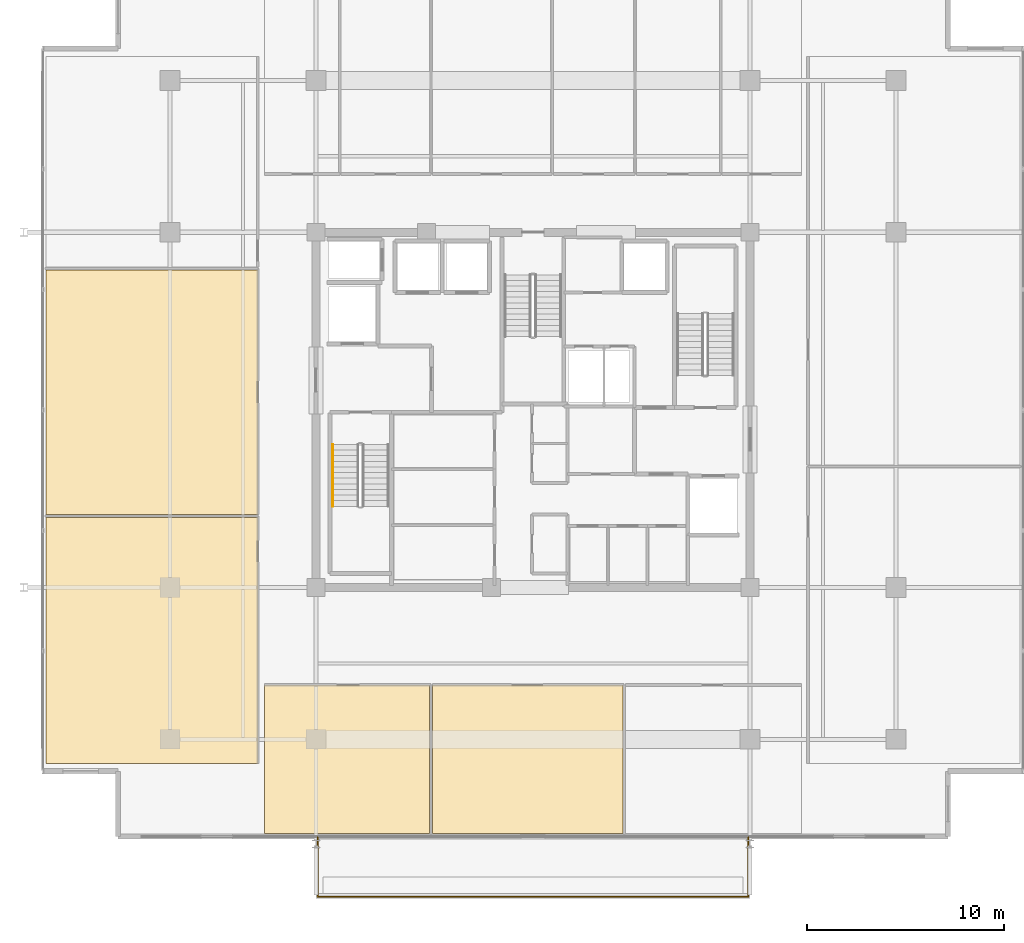
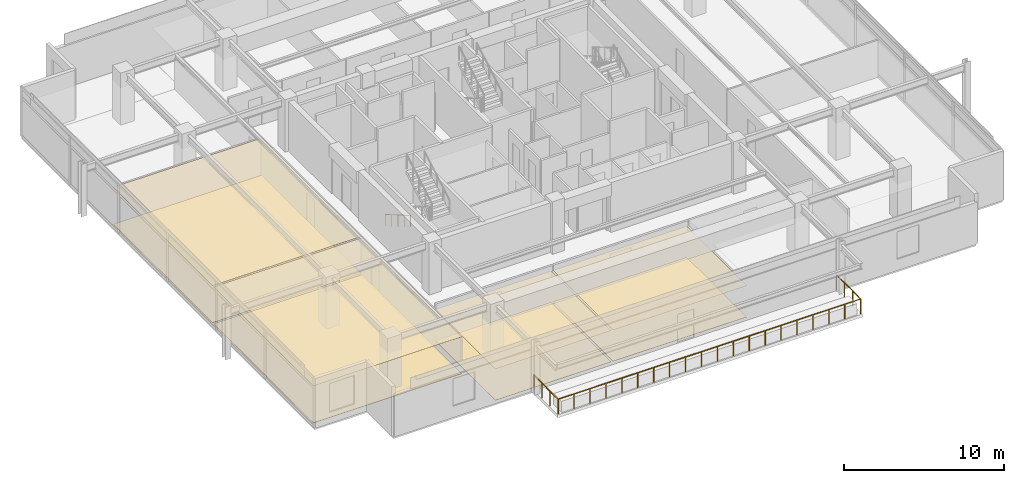
# One storey, part 17 of 20: 8 coverings, 2 railings.
"""IFC4 building model written with IfcOpenShell, lengths in metres."""

from ifc_helpers import new_model, si_unit, direction, frame, origin, origin_2d, place, context, subcontext, project, spatial, polyline, circle, outline, extrude, material, layer, layer_set, type_object, element, save


model = new_model("IFC4")

# Units and contexts
model_context = context("Model", 3, precision=1e-05, world=origin(), true_north=direction((0.0, 1.0)))
body_context = subcontext(model_context, "Body", "Model", "MODEL_VIEW")
ifc_project = project(units=[si_unit("LENGTHUNIT", "METRE"), si_unit("AREAUNIT", "SQUARE_METRE"), si_unit("VOLUMEUNIT", "CUBIC_METRE"), si_unit("PLANEANGLEUNIT", "RADIAN"), si_unit("MASSUNIT", "GRAM", prefix="KILO")], contexts=[model_context])

# Site, building, storey
site_placement = place(None, origin())
site = spatial("IfcSite", under=ifc_project, at=site_placement, CompositionType="ELEMENT")
building_placement = place(site_placement, origin())
building = spatial("IfcBuilding", under=site, at=building_placement, Name="Kovane Verandah Tower", CompositionType="ELEMENT")
storey_placement = place(building_placement, frame((0.0, 0.0, 318.800048828125)))
storey = spatial("IfcBuildingStorey", under=building, at=storey_placement, Name="L74", CompositionType="ELEMENT", Elevation=318.800048828125)

# Coverings
ifc_material_1 = material(Name="Perforated Acoustic Mineral-Fibre Ceiling Tile", Category="gypsum")
ifc_layer_1 = layer(ifc_material_1, 0.02490234375)
ifc_layer_set_1 = layer_set([ifc_layer_1], Name="Perforated Acoustic Mineral-Fibre Ceiling Tile")
covering_type_1 = type_object("IfcCoveringType", Name="CV-CEIL-25", PredefinedType="CEILING", material=ifc_layer_set_1)
covering_1_placement = place(storey_placement, frame((0.0, 0.0, 2.389892578125)))
element("IfcCovering", 1, at=covering_1_placement, inside=storey, type_object=covering_type_1, Name="L74 Executive Office S1 Acoustic Ceiling", PredefinedType="CEILING", context=body_context, shape_type="SweptSolid", body=[
    extrude(outline(polyline([(26.39990234375, 6.0341796875), (34.761962890625, 6.0341796875), (34.761962890625, 13.550048828125), (26.39990234375, 13.550048828125), (26.39990234375, 6.0341796875)])), origin(), (0.0, 0.0, 1.0), 0.025146484375),
])
covering_2_placement = place(storey_placement, frame((0.0, 0.0, 2.389892578125)))
element("IfcCovering", 2, at=covering_2_placement, inside=storey, type_object=covering_type_1, Name="L74 Client Boardroom S2 Acoustic Ceiling", PredefinedType="CEILING", context=body_context, shape_type="SweptSolid", body=[
    extrude(outline(polyline([(34.902099609375, 6.0341796875), (44.553955078125, 6.0341796875), (44.553955078125, 13.550048828125), (34.902099609375, 13.550048828125), (34.902099609375, 6.0341796875)])), origin(), (0.0, 0.0, 1.0), 0.025146484375),
])
covering_3_placement = place(storey_placement, frame((0.0, 0.0, 2.824951171875)))
element("IfcCovering", 3, at=covering_3_placement, inside=storey, type_object=covering_type_1, Name="L74 Focus Studio W1 Acoustic Ceiling", PredefinedType="CEILING", context=body_context, shape_type="SweptSolid", body=[
    extrude(outline(polyline([(15.318603515625, 9.584228515625), (26.050048828125, 9.584228515625), (26.050048828125, 22.055419921875), (15.318603515625, 22.055419921875), (15.318603515625, 9.584228515625)])), origin(), (0.0, 0.0, 1.0), 0.02490234375),
])
covering_4_placement = place(storey_placement, frame((0.0, 0.0, 2.824951171875)))
element("IfcCovering", 4, at=covering_4_placement, inside=storey, type_object=covering_type_1, Name="L74 Breakout Pantry W2 Acoustic Ceiling", PredefinedType="CEILING", context=body_context, shape_type="SweptSolid", body=[
    extrude(outline(polyline([(15.318603515625, 22.1953125), (26.050048828125, 22.1953125), (26.050048828125, 34.59619140625), (15.318603515625, 34.59619140625), (15.318603515625, 22.1953125)])), origin(), (0.0, 0.0, 1.0), 0.02490234375),
])
ifc_material_2 = material(Name="Polished Terrazzo and Raised-Access Carpet Tile Finish", Category="concrete")
ifc_layer_2 = layer(ifc_material_2, 0.030029296875)
ifc_layer_set_2 = layer_set([ifc_layer_2], Name="Polished Terrazzo and Raised-Access Carpet Tile Finish")
covering_type_2 = type_object("IfcCoveringType", Name="CV-FLOR-30", PredefinedType="FLOORING", material=ifc_layer_set_2)
covering_5_placement = place(storey_placement, origin())
element("IfcCovering", 5, at=covering_5_placement, inside=storey, type_object=covering_type_2, Name="L74 Executive Office S1 Floor Finish", PredefinedType="FLOORING", context=body_context, shape_type="SweptSolid", body=[
    extrude(outline(polyline([(26.39990234375, 6.0341796875), (34.761962890625, 6.0341796875), (34.761962890625, 13.550048828125), (26.39990234375, 13.550048828125), (26.39990234375, 6.0341796875)])), origin(), (0.0, 0.0, 1.0), 0.030029296875),
])
covering_6_placement = place(storey_placement, origin())
element("IfcCovering", 6, at=covering_6_placement, inside=storey, type_object=covering_type_2, Name="L74 Client Boardroom S2 Floor Finish", PredefinedType="FLOORING", context=body_context, shape_type="SweptSolid", body=[
    extrude(outline(polyline([(34.902099609375, 6.0341796875), (44.553955078125, 6.0341796875), (44.553955078125, 13.550048828125), (34.902099609375, 13.550048828125), (34.902099609375, 6.0341796875)])), origin(), (0.0, 0.0, 1.0), 0.030029296875),
])
covering_7_placement = place(storey_placement, origin())
element("IfcCovering", 7, at=covering_7_placement, inside=storey, type_object=covering_type_2, Name="L74 Focus Studio W1 Floor Finish", PredefinedType="FLOORING", context=body_context, shape_type="SweptSolid", body=[
    extrude(outline(polyline([(15.318603515625, 9.584228515625), (26.050048828125, 9.584228515625), (26.050048828125, 22.055419921875), (15.318603515625, 22.055419921875), (15.318603515625, 9.584228515625)])), origin(), (0.0, 0.0, 1.0), 0.030029296875),
])
covering_8_placement = place(storey_placement, origin())
element("IfcCovering", 8, at=covering_8_placement, inside=storey, type_object=covering_type_2, Name="L74 Breakout Pantry W2 Floor Finish", PredefinedType="FLOORING", context=body_context, shape_type="SweptSolid", body=[
    extrude(outline(polyline([(15.318603515625, 22.1953125), (26.050048828125, 22.1953125), (26.050048828125, 34.59619140625), (15.318603515625, 34.59619140625), (15.318603515625, 22.1953125)])), origin(), (0.0, 0.0, 1.0), 0.030029296875),
])

# Railings
ifc_material_3 = material(Name="Laminated Glass and Pale-Champagne Stainless Balustrade", Category="glass")
railing_type_1 = type_object("IfcRailingType", Name="RL-BAL-1150", PredefinedType="BALUSTRADE", material=ifc_material_3)
railing_1_placement = place(storey_placement, frame((29.080078125, 5.834228515625, 0.0)))
element("IfcRailing", 9, at=railing_1_placement, inside=storey, type_object=railing_type_1, Name="L74 S Verandah Glass Balustrade", PredefinedType="BALUSTRADE", context=body_context, shape_type="SweptSolid", body=[
    extrude(circle(Radius=0.02392578125, at=origin_2d()), frame((0.0, 0.0, 1.1259765625), z_axis=(0.0, -1.0, 0.0), x_axis=(1.0, 0.0, 0.0)), (0.0, 0.0, 1.0), 3.02001953125),
    extrude(circle(Radius=0.02392578125, at=origin_2d()), frame((0.0, -3.02001953125, 1.1259765625), z_axis=(1.0, 0.0, 0.0), x_axis=(0.0, 1.0, 0.0)), (0.0, 0.0, 1.0), 21.83984375),
    extrude(circle(Radius=0.02392578125, at=origin_2d()), frame((21.83984375, -3.02001953125, 1.1259765625), z_axis=(0.0, 1.0, 0.0), x_axis=(-1.0, 0.0, 0.0)), (0.0, 0.0, 1.0), 3.02001953125),
    extrude(circle(Radius=0.02099609375, at=origin_2d()), origin(), (0.0, 0.0, 1.0), 1.101806640625),
    extrude(circle(Radius=0.02099609375, at=origin_2d()), frame((0.0, -1.006591796875, 0.0)), (0.0, 0.0, 1.0), 1.101806640625),
    extrude(circle(Radius=0.02099609375, at=origin_2d()), frame((0.0, -2.013427734375, 0.0)), (0.0, 0.0, 1.0), 1.101806640625),
    extrude(circle(Radius=0.02099609375, at=origin_2d()), frame((0.0, -3.02001953125, 0.0)), (0.0, 0.0, 1.0), 1.101806640625),
    extrude(circle(Radius=0.02099609375, at=origin_2d()), frame((1.1494140625, -3.02001953125, 0.0)), (0.0, 0.0, 1.0), 1.101806640625),
    extrude(circle(Radius=0.02099609375, at=origin_2d()), frame((2.298828125, -3.02001953125, 0.0)), (0.0, 0.0, 1.0), 1.101806640625),
    extrude(circle(Radius=0.02099609375, at=origin_2d()), frame((3.448486328125, -3.02001953125, 0.0)), (0.0, 0.0, 1.0), 1.101806640625),
    extrude(circle(Radius=0.02099609375, at=origin_2d()), frame((4.597900390625, -3.02001953125, 0.0)), (0.0, 0.0, 1.0), 1.101806640625),
    extrude(circle(Radius=0.02099609375, at=origin_2d()), frame((5.747314453125, -3.02001953125, 0.0)), (0.0, 0.0, 1.0), 1.101806640625),
    extrude(circle(Radius=0.02099609375, at=origin_2d()), frame((6.896728515625, -3.02001953125, 0.0)), (0.0, 0.0, 1.0), 1.101806640625),
    extrude(circle(Radius=0.02099609375, at=origin_2d()), frame((8.046142578125, -3.02001953125, 0.0)), (0.0, 0.0, 1.0), 1.101806640625),
    extrude(circle(Radius=0.02099609375, at=origin_2d()), frame((9.19580078125, -3.02001953125, 0.0)), (0.0, 0.0, 1.0), 1.101806640625),
    extrude(circle(Radius=0.02099609375, at=origin_2d()), frame((10.34521484375, -3.02001953125, 0.0)), (0.0, 0.0, 1.0), 1.101806640625),
    extrude(circle(Radius=0.02099609375, at=origin_2d()), frame((11.49462890625, -3.02001953125, 0.0)), (0.0, 0.0, 1.0), 1.101806640625),
    extrude(circle(Radius=0.02099609375, at=origin_2d()), frame((12.64404296875, -3.02001953125, 0.0)), (0.0, 0.0, 1.0), 1.101806640625),
    extrude(circle(Radius=0.02099609375, at=origin_2d()), frame((13.793701171875, -3.02001953125, 0.0)), (0.0, 0.0, 1.0), 1.101806640625),
    extrude(circle(Radius=0.02099609375, at=origin_2d()), frame((14.943115234375, -3.02001953125, 0.0)), (0.0, 0.0, 1.0), 1.101806640625),
    extrude(circle(Radius=0.02099609375, at=origin_2d()), frame((16.092529296875, -3.02001953125, 0.0)), (0.0, 0.0, 1.0), 1.101806640625),
    extrude(circle(Radius=0.02099609375, at=origin_2d()), frame((17.241943359375, -3.02001953125, 0.0)), (0.0, 0.0, 1.0), 1.101806640625),
    extrude(circle(Radius=0.02099609375, at=origin_2d()), frame((18.391357421875, -3.02001953125, 0.0)), (0.0, 0.0, 1.0), 1.101806640625),
    extrude(circle(Radius=0.02099609375, at=origin_2d()), frame((19.541015625, -3.02001953125, 0.0)), (0.0, 0.0, 1.0), 1.101806640625),
    extrude(circle(Radius=0.02099609375, at=origin_2d()), frame((20.6904296875, -3.02001953125, 0.0)), (0.0, 0.0, 1.0), 1.101806640625),
    extrude(circle(Radius=0.02099609375, at=origin_2d()), frame((21.83984375, -3.02001953125, 0.0)), (0.0, 0.0, 1.0), 1.101806640625),
    extrude(circle(Radius=0.02099609375, at=origin_2d()), frame((21.83984375, -2.013427734375, 0.0)), (0.0, 0.0, 1.0), 1.101806640625),
    extrude(circle(Radius=0.02099609375, at=origin_2d()), frame((21.83984375, -1.006591796875, 0.0)), (0.0, 0.0, 1.0), 1.101806640625),
    extrude(circle(Radius=0.02099609375, at=origin_2d()), frame((21.83984375, 0.0, 0.0)), (0.0, 0.0, 1.0), 1.101806640625),
])
ifc_material_4 = material(Name="Brushed Stainless Steel Handrail", Category="steel")
railing_type_2 = type_object("IfcRailingType", Name="RL-HAND-920", PredefinedType="HANDRAIL", material=ifc_material_4)
railing_2_placement = place(storey_placement, frame((29.85009765625, 25.75, 0.16650390625)))
element("IfcRailing", 10, at=railing_2_placement, inside=storey, type_object=railing_type_2, Name="L74 ST-01 stair handrail 1", PredefinedType="HANDRAIL", context=body_context, shape_type="SweptSolid", body=[
    extrude(circle(Radius=0.02392578125, at=origin_2d()), frame((0.0, 0.0, 0.8759765625), z_axis=(0.0, -0.863210265497, 0.504844567704), x_axis=(1.0, 0.0, 0.0)), (0.0, 0.0, 1.0), 3.6318359375),
    extrude(circle(Radius=0.02099609375, at=origin_2d()), origin(), (0.0, 0.0, 1.0), 0.851806640625),
    extrude(circle(Radius=0.02099609375, at=origin_2d()), frame((0.0, -0.78369140625, 0.45849609375)), (0.0, 0.0, 1.0), 0.851806640625),
    extrude(circle(Radius=0.02099609375, at=origin_2d()), frame((0.0, -1.5673828125, 0.916748046875)), (0.0, 0.0, 1.0), 0.851806640625),
    extrude(circle(Radius=0.02099609375, at=origin_2d()), frame((0.0, -2.351318359375, 1.375)), (0.0, 0.0, 1.0), 0.851806640625),
    extrude(circle(Radius=0.02099609375, at=origin_2d()), frame((0.0, -3.135009765625, 1.83349609375)), (0.0, 0.0, 1.0), 0.851806640625),
])

save(model, "model.ifc")
